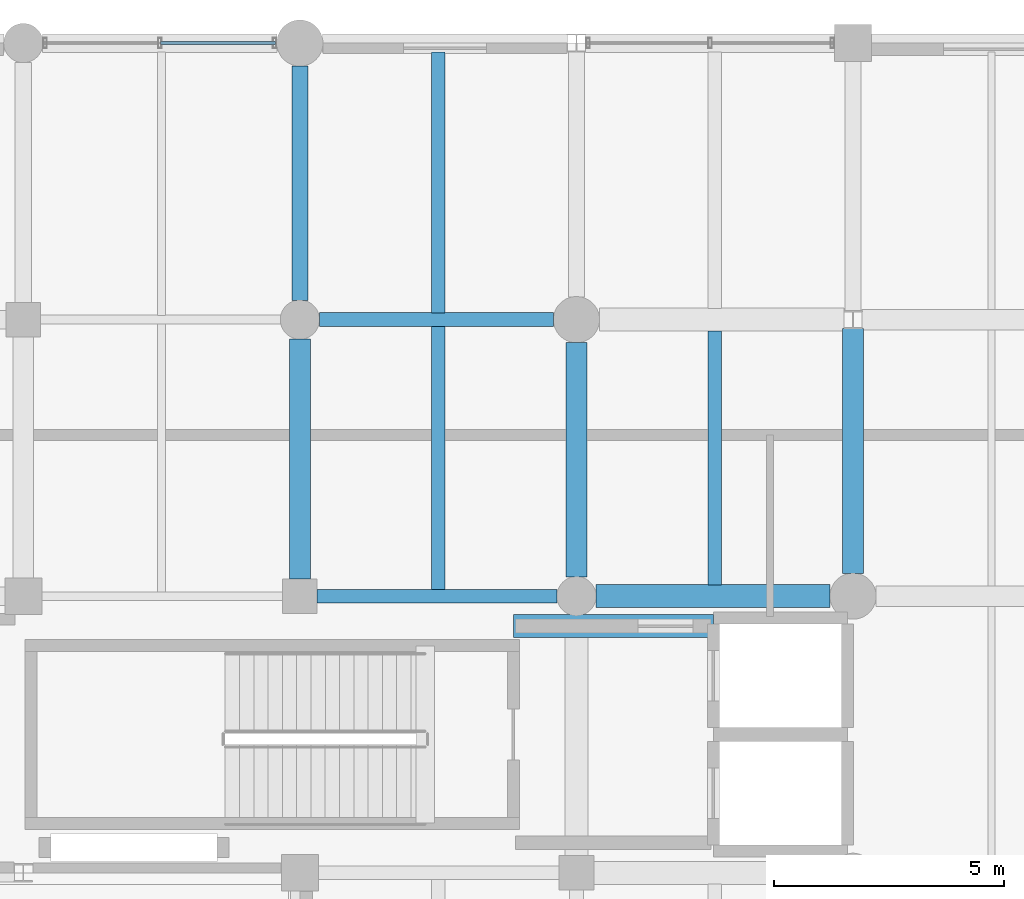
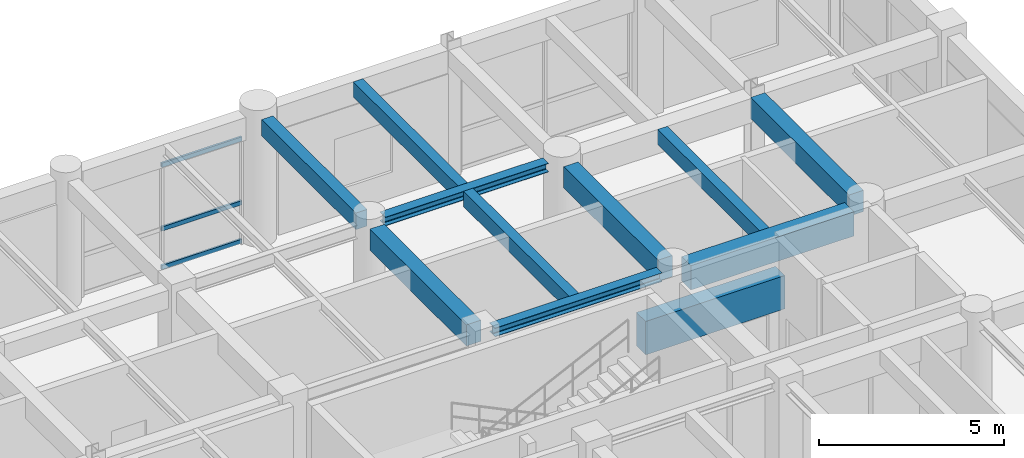
# One storey, part 85 of 133: 11 beams, 3 members, 1 element without a shape of its own.
"""IFC4 building model written with IfcOpenShell, lengths in metres."""

from ifc_helpers import new_model, si_unit, direction, frame, origin, origin_2d, place, context, subcontext, project, spatial, rectangle, hollow_rectangle, i_section, extrude, material, material_profile, profile_set, type_object, element, aggregate, save


model = new_model("IFC4")

# Units and contexts
model_context = context("Model", 3, precision=1e-05, world=origin(), true_north=direction((0.0, 1.0)))
body_context = subcontext(model_context, "Body", "Model", "MODEL_VIEW")
ifc_project = project(units=[si_unit("LENGTHUNIT", "METRE"), si_unit("AREAUNIT", "SQUARE_METRE"), si_unit("VOLUMEUNIT", "CUBIC_METRE"), si_unit("PLANEANGLEUNIT", "RADIAN"), si_unit("MASSUNIT", "GRAM", prefix="KILO"), si_unit("THERMODYNAMICTEMPERATUREUNIT", "KELVIN"), si_unit("POWERUNIT", "WATT")], contexts=[model_context])

# Site, building, storey
site_placement = place(None, origin())
site = spatial("IfcSite", under=ifc_project, at=site_placement, CompositionType="ELEMENT")
building_placement = place(site_placement, origin())
building = spatial("IfcBuilding", under=site, at=building_placement, Name="Phaisarnlok Congress Hotel", CompositionType="ELEMENT")
storey_placement = place(building_placement, frame((0.0, 0.0, 6.0)))
storey = spatial("IfcBuildingStorey", under=building, at=storey_placement, Name="L01", CompositionType="ELEMENT", Elevation=6.0)

# Beams
ifc_material_1 = material(Name="Concrete C40/50", Category="concrete")
ifc_material_profile_1 = material_profile(ifc_material_1, rectangle(XDim=0.35009765625, YDim=0.550048828125, at=origin_2d()), Name="RC 350x550")
ifc_profile_set_1 = profile_set([ifc_material_profile_1], Name="Concrete C40/50")
beam_type_1 = type_object("IfcBeamType", Name="BM-RC-350x550", PredefinedType="BEAM", material=ifc_profile_set_1)
beam_1_placement = place(storey_placement, frame((162.0, 120.419921875, 3.945068359375), z_axis=(0.0, 1.0, 0.0), x_axis=(-1.0, 0.0, 0.0)))
element("IfcBeam", 1, at=beam_1_placement, inside=storey, type_object=beam_type_1, Name="Beam B-01", PredefinedType="BEAM", context=body_context, shape_type="SweptSolid", body=[
    extrude(rectangle(XDim=0.35009765625, YDim=0.550048828125, at=origin_2d()), origin(), (0.0, 0.0, 1.0), 5.0849609375),
])
ifc_material_profile_2 = material_profile(ifc_material_1, rectangle(XDim=0.449951171875, YDim=0.699951171875, at=origin_2d()), Name="RC 450x700")
ifc_profile_set_2 = profile_set([ifc_material_profile_2], Name="Concrete C40/50")
beam_type_2 = type_object("IfcBeamType", Name="BM-RC-450x700", PredefinedType="BEAM", material=ifc_profile_set_2)
beam_2_placement = place(storey_placement, frame((162.0, 114.3701171875, 3.8701171875), z_axis=(0.0, 1.0, 0.0), x_axis=(-1.0, 0.0, 0.0)))
element("IfcBeam", 2, at=beam_2_placement, inside=storey, type_object=beam_type_2, Name="Beam B-03", PredefinedType="BEAM", context=body_context, shape_type="SweptSolid", body=[
    extrude(rectangle(XDim=0.449951171875, YDim=0.699951171875, at=origin_2d()), origin(), (0.0, 0.0, 1.0), 5.2099609375),
])
beam_3_placement = place(storey_placement, frame((168.0, 114.419921875, 3.8701171875), z_axis=(0.0, 1.0, 0.0), x_axis=(-1.0, 0.0, 0.0)))
element("IfcBeam", 3, at=beam_3_placement, inside=storey, type_object=beam_type_2, Name="Beam B-03", PredefinedType="BEAM", context=body_context, shape_type="SweptSolid", body=[
    extrude(rectangle(XDim=0.449951171875, YDim=0.699951171875, at=origin_2d()), origin(), (0.0, 0.0, 1.0), 5.0849609375),
])
beam_4_placement = place(storey_placement, frame((174.0, 114.4951171875, 3.8701171875), z_axis=(0.0, 1.0, 0.0), x_axis=(-1.0, 0.0, 0.0)))
element("IfcBeam", 4, at=beam_4_placement, inside=storey, type_object=beam_type_2, Name="Beam B-03", PredefinedType="BEAM", context=body_context, shape_type="SweptSolid", body=[
    extrude(rectangle(XDim=0.449951171875, YDim=0.699951171875, at=origin_2d()), origin(), (0.0, 0.0, 1.0), 5.310302734375),
])
ifc_material_profile_3 = material_profile(ifc_material_1, rectangle(XDim=0.5, YDim=0.800048828125, at=origin_2d()), Name="RC 500x800")
ifc_profile_set_3 = profile_set([ifc_material_profile_3], Name="Concrete C40/50")
beam_type_3 = type_object("IfcBeamType", Name="BM-RC-500x800", PredefinedType="BEAM", material=ifc_profile_set_3)
beam_5_placement = place(storey_placement, frame((168.419921875, 114.0, 3.820068359375), z_axis=(1.0, 0.0, 0.0), x_axis=(0.0, 1.0, 0.0)))
element("IfcBeam", 5, at=beam_5_placement, inside=storey, type_object=beam_type_3, Name="Beam B-04", PredefinedType="BEAM", context=body_context, shape_type="SweptSolid", body=[
    extrude(rectangle(XDim=0.5, YDim=0.800048828125, at=origin_2d()), origin(), (0.0, 0.0, 1.0), 5.0849609375),
])
ifc_material_2 = material(Name="Steel S355", Category="steel")
ifc_material_profile_4 = material_profile(ifc_material_2, i_section(OverallWidth=0.300048828125, OverallDepth=0.2900390625, WebThickness=0.008544921875, FlangeThickness=0.013916015625, FilletRadius=0.027099609375, at=origin_2d()), Name="HEA 300")
ifc_profile_set_4 = profile_set([ifc_material_profile_4], Name="Steel S355")
beam_type_4 = type_object("IfcBeamType", Name="BM-STL-HEA300", PredefinedType="BEAM", material=ifc_profile_set_4)
beam_6_placement = place(storey_placement, frame((162.3701171875, 114.0, 4.074951171875), z_axis=(1.0, 0.0, 0.0), x_axis=(0.0, 1.0, 0.0)))
element("IfcBeam", 6, at=beam_6_placement, inside=storey, type_object=beam_type_4, Name="Beam SB-05", PredefinedType="BEAM", context=body_context, shape_type="SweptSolid", body=[
    extrude(i_section(OverallWidth=0.300048828125, OverallDepth=0.2900390625, WebThickness=0.008544921875, FlangeThickness=0.013916015625, FilletRadius=0.027099609375, at=origin_2d()), origin(), (0.0, 0.0, 1.0), 5.2099609375),
])
beam_7_placement = place(storey_placement, frame((162.419921875, 120.0, 4.074951171875), z_axis=(1.0, 0.0, 0.0), x_axis=(0.0, 1.0, 0.0)))
element("IfcBeam", 7, at=beam_7_placement, inside=storey, type_object=beam_type_4, Name="Beam SB-05", PredefinedType="BEAM", context=body_context, shape_type="SweptSolid", body=[
    extrude(i_section(OverallWidth=0.300048828125, OverallDepth=0.2900390625, WebThickness=0.008544921875, FlangeThickness=0.013916015625, FilletRadius=0.027099609375, at=origin_2d()), origin(), (0.0, 0.0, 1.0), 5.0849609375),
])

# Curtain wall, members
ifc_material_3 = material(Name="Thermally Broken Unitised Aluminium & Low-E Glazing", Category="aluminium")
curtain_wall_type = type_object("IfcCurtainWallType", Name="CW-UNIT-12", PredefinedType="NOTDEFINED", material=ifc_material_3)
curtain_wall_placement = place(storey_placement, origin())
curtain_wall = element("IfcCurtainWall", 8, at=curtain_wall_placement, inside=storey, type_object=curtain_wall_type, Name="Unitised curtain wall CW-12 (L01)", PredefinedType="NOTDEFINED")
ifc_material_4 = material(Name="Anodised Aluminium Alloy 6063-T6", Category="aluminium")
ifc_material_profile_5 = material_profile(ifc_material_4, hollow_rectangle(XDim=0.06494140625, YDim=0.139892578125, WallThickness=0.00390625, at=origin_2d()), Name="ALU-T 65x140x4")
ifc_profile_set_5 = profile_set([ifc_material_profile_5], Name="Anodised Aluminium Alloy 6063-T6")
member_type = type_object("IfcMemberType", Name="CWT-150", PredefinedType="USERDEFINED", material=ifc_profile_set_5)
member_1_placement = place(storey_placement, frame((161.47509765625, 126.0, 0.050048828125), z_axis=(-1.0, 0.0, 0.0), x_axis=(0.0, -1.0, 0.0)))
member_1 = element("IfcMember", 9, at=member_1_placement, type_object=member_type, Name="Curtain wall transom CWT-01", ObjectType="TRANSOM", PredefinedType="USERDEFINED", context=body_context, shape_type="SweptSolid", body=[
    extrude(hollow_rectangle(XDim=0.06494140625, YDim=0.139892578125, WallThickness=0.00390625, at=origin_2d()), origin(), (0.0, 0.0, 1.0), 2.49755859375),
])
member_2_placement = place(storey_placement, frame((161.47509765625, 126.0, 1.318603515625), z_axis=(-1.0, 0.0, 0.0), x_axis=(0.0, -1.0, 0.0)))
member_2 = element("IfcMember", 10, at=member_2_placement, type_object=member_type, Name="Curtain wall transom CWT-01", ObjectType="TRANSOM", PredefinedType="USERDEFINED", context=body_context, shape_type="SweptSolid", body=[
    extrude(hollow_rectangle(XDim=0.06494140625, YDim=0.139892578125, WallThickness=0.00390625, at=origin_2d()), origin(), (0.0, 0.0, 1.0), 2.49755859375),
])
member_3_placement = place(storey_placement, frame((161.47509765625, 126.0, 3.419921875), z_axis=(-1.0, 0.0, 0.0), x_axis=(0.0, -1.0, 0.0)))
member_3 = element("IfcMember", 11, at=member_3_placement, type_object=member_type, Name="Curtain wall transom CWT-01", ObjectType="TRANSOM", PredefinedType="USERDEFINED", context=body_context, shape_type="SweptSolid", body=[
    extrude(hollow_rectangle(XDim=0.06494140625, YDim=0.139892578125, WallThickness=0.00390625, at=origin_2d()), origin(), (0.0, 0.0, 1.0), 2.49755859375),
])
aggregate(curtain_wall, [member_1, member_2, member_3])

# Beams
ifc_material_profile_6 = material_profile(ifc_material_1, rectangle(XDim=0.300048828125, YDim=0.5, at=origin_2d()), Name="RC 300x500")
ifc_profile_set_6 = profile_set([ifc_material_profile_6], Name="Concrete C40/50")
beam_type_5 = type_object("IfcBeamType", Name="JS-RC-300x500", PredefinedType="JOIST", material=ifc_profile_set_6)
beam_8_placement = place(storey_placement, frame((165.0, 114.14501953125, 3.969970703125), z_axis=(0.0, 1.0, 0.0), x_axis=(-1.0, 0.0, 0.0)))
element("IfcBeam", 12, at=beam_8_placement, inside=storey, type_object=beam_type_5, Name="Secondary floor joist J-01", PredefinedType="JOIST", context=body_context, shape_type="SweptSolid", body=[
    extrude(rectangle(XDim=0.300048828125, YDim=0.5, at=origin_2d()), origin(), (0.0, 0.0, 1.0), 5.7099609375),
])
beam_9_placement = place(storey_placement, frame((165.0, 120.14501953125, 3.969970703125), z_axis=(0.0, 1.0, 0.0), x_axis=(-1.0, 0.0, 0.0)))
element("IfcBeam", 13, at=beam_9_placement, inside=storey, type_object=beam_type_5, Name="Secondary floor joist J-01", PredefinedType="JOIST", context=body_context, shape_type="SweptSolid", body=[
    extrude(rectangle(XDim=0.300048828125, YDim=0.5, at=origin_2d()), origin(), (0.0, 0.0, 1.0), 5.659912109375),
])
beam_10_placement = place(storey_placement, frame((171.0, 114.2451171875, 3.969970703125), z_axis=(0.0, 1.0, 0.0), x_axis=(-1.0, 0.0, 0.0)))
element("IfcBeam", 14, at=beam_10_placement, inside=storey, type_object=beam_type_5, Name="Secondary floor joist J-01", PredefinedType="JOIST", context=body_context, shape_type="SweptSolid", body=[
    extrude(rectangle(XDim=0.300048828125, YDim=0.5, at=origin_2d()), origin(), (0.0, 0.0, 1.0), 5.509765625),
])
ifc_material_5 = material(Name="Concrete C50/60", Category="concrete")
ifc_material_profile_7 = material_profile(ifc_material_5, rectangle(XDim=0.5, YDim=1.10009765625, at=origin_2d()), Name="RC 500x1100")
ifc_profile_set_7 = profile_set([ifc_material_profile_7], Name="Concrete C50/60")
beam_type_6 = type_object("IfcBeamType", Name="LN-RC-500x1100", PredefinedType="LINTEL", material=ifc_profile_set_7)
beam_11_placement = place(storey_placement, frame((166.6298828125, 113.35009765625, 2.85009765625), z_axis=(1.0, 0.0, 0.0), x_axis=(0.0, 1.0, 0.0)))
element("IfcBeam", 15, at=beam_11_placement, inside=storey, type_object=beam_type_6, Name="Core coupling lintel beam LN-02", PredefinedType="LINTEL", context=body_context, shape_type="SweptSolid", body=[
    extrude(rectangle(XDim=0.5, YDim=1.10009765625, at=origin_2d()), origin(), (0.0, 0.0, 1.0), 4.340087890625),
])

save(model, "model.ifc")
